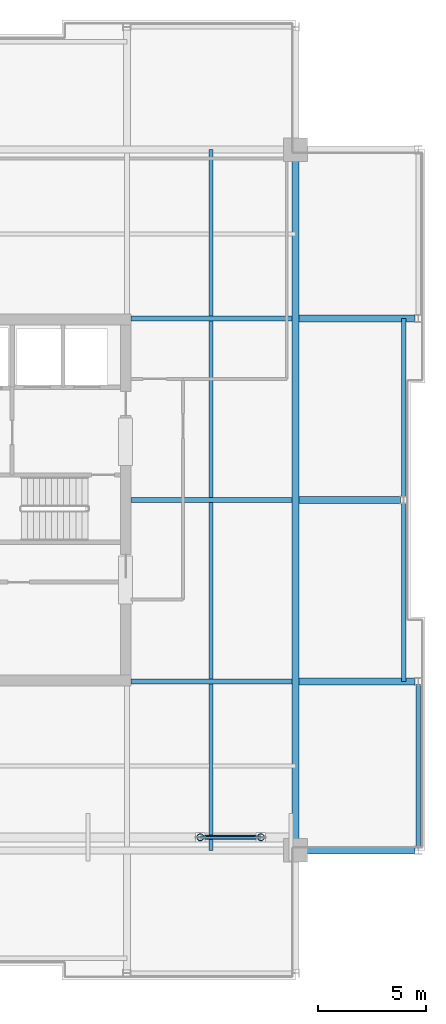
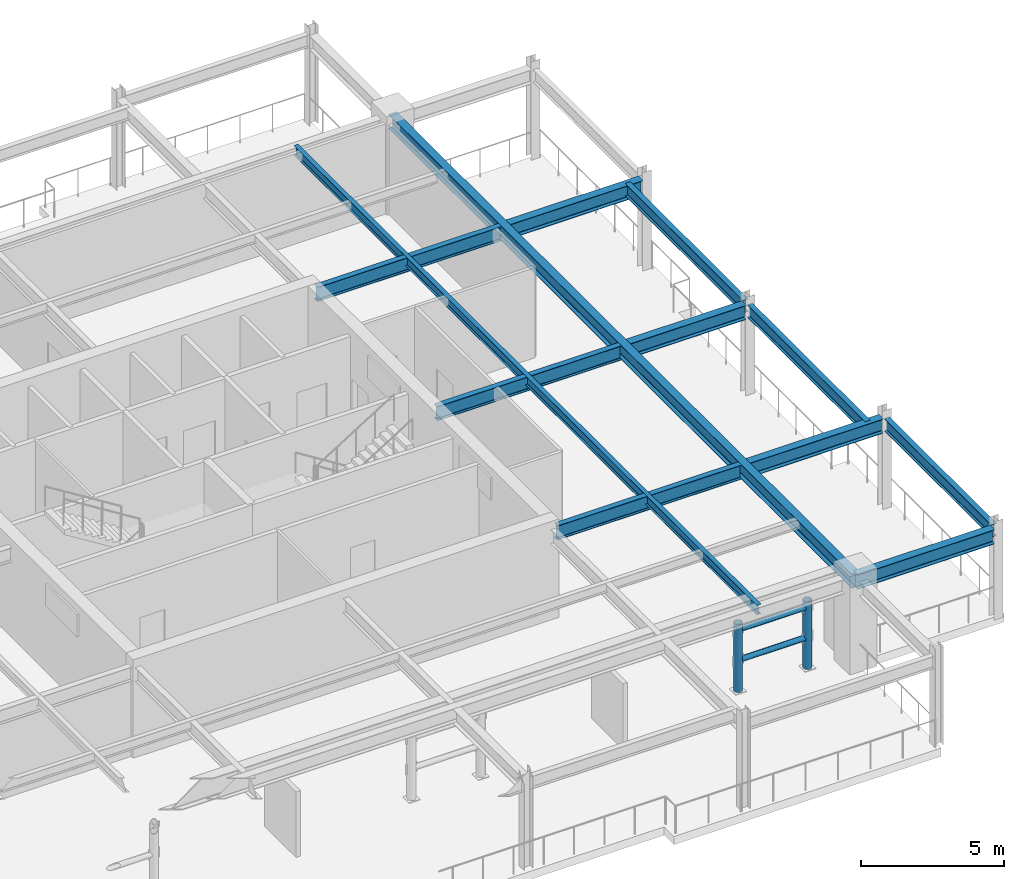
# One storey, part 6 of 13: 12 beams, 4 members.
"""IFC4 building model written with IfcOpenShell, lengths in metres."""

from ifc_helpers import new_model, si_unit, direction, frame, origin, origin_2d, place, context, subcontext, project, spatial, hollow_circle, i_section, extrude, material, material_profile, profile_set, type_object, element, save


model = new_model("IFC4")

# Units and contexts
model_context = context("Model", 3, precision=1e-05, world=origin(), true_north=direction((0.0, 1.0)))
body_context = subcontext(model_context, "Body", "Model", "MODEL_VIEW")
ifc_project = project(units=[si_unit("LENGTHUNIT", "METRE"), si_unit("AREAUNIT", "SQUARE_METRE"), si_unit("VOLUMEUNIT", "CUBIC_METRE"), si_unit("PLANEANGLEUNIT", "RADIAN"), si_unit("MASSUNIT", "GRAM", prefix="KILO")], contexts=[model_context])

# Site, building, storey
site_placement = place(None, origin())
site = spatial("IfcSite", under=ifc_project, at=site_placement, CompositionType="ELEMENT")
building_placement = place(site_placement, origin())
building = spatial("IfcBuilding", under=site, at=building_placement, Name="Drelvath Grand Hotel", CompositionType="ELEMENT")
storey_placement = place(building_placement, frame((0.0, 0.0, 303.0)))
storey = spatial("IfcBuildingStorey", under=building, at=storey_placement, Name="L79", CompositionType="ELEMENT", Elevation=303.0)

# Beams
ifc_material_1 = material(Name="Steel ASTM A992 Gr 50", Category="steel")
ifc_material_profile_1 = material_profile(ifc_material_1, i_section(OverallWidth=0.177734375, OverallDepth=0.40673828125, WebThickness=0.0078125, FlangeThickness=0.0126953125, FilletRadius=0.014892578125, at=origin_2d()), Name="W16X40")
ifc_profile_set_1 = profile_set([ifc_material_profile_1], Name="Steel ASTM A992 Gr 50")
beam_type_1 = type_object("IfcBeamType", Name="Composite Floor Joist W16X40", PredefinedType="JOIST", material=ifc_profile_set_1)
beam_1_placement = place(storey_placement, frame((12.300048828125, 10.800048828125, 3.646728515625), z_axis=(0.0, 1.0, 0.0), x_axis=(-1.0, 0.0, 0.0)))
element("IfcBeam", 1, at=beam_1_placement, inside=storey, type_object=beam_type_1, Name="L79 Wing Floor Joist J4", PredefinedType="JOIST", context=body_context, shape_type="SweptSolid", body=[
    extrude(i_section(OverallWidth=0.177734375, OverallDepth=0.40673828125, WebThickness=0.0078125, FlangeThickness=0.0126953125, FilletRadius=0.014892578125, at=origin_2d()), origin(), (0.0, 0.0, 1.0), 32.39990234375),
])
ifc_material_profile_2 = material_profile(ifc_material_1, i_section(OverallWidth=0.210205078125, OverallDepth=0.53662109375, WebThickness=0.010986328125, FlangeThickness=0.017333984375, FilletRadius=0.01806640625, at=origin_2d()), Name="W21X68")
ifc_profile_set_2 = profile_set([ifc_material_profile_2], Name="Steel ASTM A992 Gr 50")
beam_type_2 = type_object("IfcBeamType", Name="Perimeter Spandrel Beam W21X68", PredefinedType="SPANDREL", material=ifc_profile_set_2)
beam_2_placement = place(storey_placement, frame((21.8798828125, 10.93994140625, 3.581787109375), z_axis=(0.0, 1.0, 0.0), x_axis=(-1.0, 0.0, 0.0)))
element("IfcBeam", 2, at=beam_2_placement, inside=storey, type_object=beam_type_2, Name="L79 Spandrel East S", PredefinedType="SPANDREL", context=body_context, shape_type="SweptSolid", body=[
    extrude(i_section(OverallWidth=0.210205078125, OverallDepth=0.53662109375, WebThickness=0.010986328125, FlangeThickness=0.017333984375, FilletRadius=0.01806640625, at=origin_2d()), origin(), (0.0, 0.0, 1.0), 7.52001953125),
])
for number, where, z_axis, x_axis, name in (
    (3, (21.199951171875, 18.60009765625, 3.581787109375), (0.0, 1.0, 0.0), (-1.0, 0.0, 0.0), "L79 Spandrel East Mid S"),
    (4, (21.199951171875, 27.139892578125, 3.581787109375), (0.0, 1.0, 0.0), (-1.0, 0.0, 0.0), "L79 Spandrel East Mid N"),
):
    element("IfcBeam", number, at=place(storey_placement, frame(where, z_axis=z_axis, x_axis=x_axis)), inside=storey, type_object=beam_type_2, Name=name, PredefinedType="SPANDREL", context=body_context, shape_type="SweptSolid", body=[
        extrude(i_section(OverallWidth=0.210205078125, OverallDepth=0.53662109375, WebThickness=0.010986328125, FlangeThickness=0.017333984375, FilletRadius=0.01806640625, at=origin_2d()), origin(), (0.0, 0.0, 1.0), 8.260009765625),
    ])
ifc_material_profile_3 = material_profile(ifc_material_1, i_section(OverallWidth=0.323974609375, OverallDepth=0.611083984375, WebThickness=0.0126953125, FlangeThickness=0.01904296875, FilletRadius=0.02197265625, at=origin_2d()), Name="W24X104")
ifc_profile_set_3 = profile_set([ifc_material_profile_3], Name="Steel ASTM A992 Gr 50")
beam_type_3 = type_object("IfcBeamType", Name="Primary Floor Girder W24X104", PredefinedType="BEAM", material=ifc_profile_set_3)
beam_3_placement = place(storey_placement, frame((16.199951171875, 10.800048828125, 3.54443359375), z_axis=(0.0, 1.0, 0.0), x_axis=(-1.0, 0.0, 0.0)))
element("IfcBeam", 5, at=beam_3_placement, inside=storey, type_object=beam_type_3, Name="L79 Mega Ring Girder East", PredefinedType="BEAM", context=body_context, shape_type="SweptSolid", body=[
    extrude(i_section(OverallWidth=0.323974609375, OverallDepth=0.611083984375, WebThickness=0.0126953125, FlangeThickness=0.01904296875, FilletRadius=0.02197265625, at=origin_2d()), origin(), (0.0, 0.0, 1.0), 32.39990234375),
])
beam_4_placement = place(storey_placement, frame((16.199951171875, 10.800048828125, 3.54443359375), z_axis=(1.0, 0.0, 0.0), x_axis=(0.0, 1.0, 0.0)))
element("IfcBeam", 6, at=beam_4_placement, inside=storey, type_object=beam_type_3, Name="L79 East Grid Girder C", PredefinedType="BEAM", context=body_context, shape_type="SweptSolid", body=[
    extrude(i_section(OverallWidth=0.323974609375, OverallDepth=0.611083984375, WebThickness=0.0126953125, FlangeThickness=0.01904296875, FilletRadius=0.02197265625, at=origin_2d()), origin(), (0.0, 0.0, 1.0), 5.5400390625),
])
beam_5_placement = place(storey_placement, frame((16.362060546875, 18.60009765625, 3.54443359375), z_axis=(1.0, 0.0, 0.0), x_axis=(0.0, 1.0, 0.0)))
element("IfcBeam", 7, at=beam_5_placement, inside=storey, type_object=beam_type_3, Name="L79 East Wing Girder D", PredefinedType="BEAM", context=body_context, shape_type="SweptSolid", body=[
    extrude(i_section(OverallWidth=0.323974609375, OverallDepth=0.611083984375, WebThickness=0.0126953125, FlangeThickness=0.01904296875, FilletRadius=0.02197265625, at=origin_2d()), origin(), (0.0, 0.0, 1.0), 5.3779296875),
])
beam_6_placement = place(storey_placement, frame((16.362060546875, 27.0, 3.54443359375), z_axis=(1.0, 0.0, 0.0), x_axis=(0.0, 1.0, 0.0)))
element("IfcBeam", 8, at=beam_6_placement, inside=storey, type_object=beam_type_3, Name="L79 East Wing Girder E", PredefinedType="BEAM", context=body_context, shape_type="SweptSolid", body=[
    extrude(i_section(OverallWidth=0.323974609375, OverallDepth=0.611083984375, WebThickness=0.0126953125, FlangeThickness=0.01904296875, FilletRadius=0.02197265625, at=origin_2d()), origin(), (0.0, 0.0, 1.0), 4.697998046875),
])
beam_7_placement = place(storey_placement, frame((16.362060546875, 35.39990234375, 3.54443359375), z_axis=(1.0, 0.0, 0.0), x_axis=(0.0, 1.0, 0.0)))
element("IfcBeam", 9, at=beam_7_placement, inside=storey, type_object=beam_type_3, Name="L79 East Wing Girder F", PredefinedType="BEAM", context=body_context, shape_type="SweptSolid", body=[
    extrude(i_section(OverallWidth=0.323974609375, OverallDepth=0.611083984375, WebThickness=0.0126953125, FlangeThickness=0.01904296875, FilletRadius=0.02197265625, at=origin_2d()), origin(), (0.0, 0.0, 1.0), 5.3779296875),
])
ifc_material_profile_4 = material_profile(ifc_material_1, i_section(OverallWidth=0.228271484375, OverallDepth=0.607666015625, WebThickness=0.01123046875, FlangeThickness=0.017333984375, FilletRadius=0.02001953125, at=origin_2d()), Name="W24X76")
ifc_profile_set_4 = profile_set([ifc_material_profile_4], Name="Steel ASTM A992 Gr 50")
beam_type_4 = type_object("IfcBeamType", Name="Primary Floor Girder W24X76", PredefinedType="BEAM", material=ifc_profile_set_4)
for number, where, z_axis, x_axis, name in (
    (10, (8.60009765625, 18.60009765625, 3.546142578125), (1.0, 0.0, 0.0), (0.0, 1.0, 0.0), "L79 East Core Tie D"),
    (11, (8.60009765625, 27.0, 3.546142578125), (1.0, 0.0, 0.0), (0.0, 1.0, 0.0), "L79 East Core Tie E"),
    (12, (8.60009765625, 35.39990234375, 3.546142578125), (1.0, 0.0, 0.0), (0.0, 1.0, 0.0), "L79 East Core Tie F"),
):
    element("IfcBeam", number, at=place(storey_placement, frame(where, z_axis=z_axis, x_axis=x_axis)), inside=storey, type_object=beam_type_4, Name=name, PredefinedType="BEAM", context=body_context, shape_type="SweptSolid", body=[
        extrude(i_section(OverallWidth=0.228271484375, OverallDepth=0.607666015625, WebThickness=0.01123046875, FlangeThickness=0.017333984375, FilletRadius=0.02001953125, at=origin_2d()), origin(), (0.0, 0.0, 1.0), 7.43798828125),
    ])

# Members
ifc_material_2 = material(Name="Steel ASTM A500 Gr C", Category="steel")
ifc_material_profile_5 = material_profile(ifc_material_2, hollow_circle(Radius=0.161865234375, WallThickness=0.015869140625, at=origin_2d()), Name="CHS324X16")
ifc_profile_set_5 = profile_set([ifc_material_profile_5], Name="Steel ASTM A500 Gr C")
member_type_1 = type_object("IfcMemberType", Name="Wind Turbine Pedestal Strut CHS324X16", PredefinedType="STRUT", material=ifc_profile_set_5)
for number, where, z_axis, x_axis, name in (
    (13, (11.800048828125, 11.39990234375, 0.0), (0.0, 0.0, 1.0), (1.0, 0.0, 0.0), "L79 Wind Turbine Pedestal WT-3-L"),
    (14, (14.60009765625, 11.39990234375, 0.0), (0.0, 0.0, 1.0), (1.0, 0.0, 0.0), "L79 Wind Turbine Pedestal WT-3-R"),
):
    element("IfcMember", number, at=place(storey_placement, frame(where, z_axis=z_axis, x_axis=x_axis)), inside=storey, type_object=member_type_1, Name=name, PredefinedType="STRUT", context=body_context, shape_type="SweptSolid", body=[
        extrude(hollow_circle(Radius=0.161865234375, WallThickness=0.015869140625, at=origin_2d()), origin(), (0.0, 0.0, 1.0), 2.92333984375),
    ])
ifc_material_profile_6 = material_profile(ifc_material_2, hollow_circle(Radius=0.109619140625, WallThickness=0.0126953125, at=origin_2d()), Name="CHS219X13")
ifc_profile_set_6 = profile_set([ifc_material_profile_6], Name="Steel ASTM A500 Gr C")
member_type_2 = type_object("IfcMemberType", Name="Wind Turbine Shroud Ring CHS219X13", PredefinedType="STRUT", material=ifc_profile_set_6)
for number, where, z_axis, x_axis, name in (
    (15, (11.800048828125, 11.39990234375, 2.603515625), (1.0, 0.0, 0.0), (0.0, 1.0, 0.0), "L79 Wind Turbine Shroud Crossbar WT-3"),
    (16, (11.800048828125, 11.39990234375, 1.3017578125), (1.0, 0.0, 0.0), (0.0, 1.0, 0.0), "L79 Wind Turbine Rotor Hub Beam WT-3"),
):
    element("IfcMember", number, at=place(storey_placement, frame(where, z_axis=z_axis, x_axis=x_axis)), inside=storey, type_object=member_type_2, Name=name, PredefinedType="STRUT", context=body_context, shape_type="SweptSolid", body=[
        extrude(hollow_circle(Radius=0.109619140625, WallThickness=0.0126953125, at=origin_2d()), origin(), (0.0, 0.0, 1.0), 2.800048828125),
    ])

save(model, "model.ifc")
